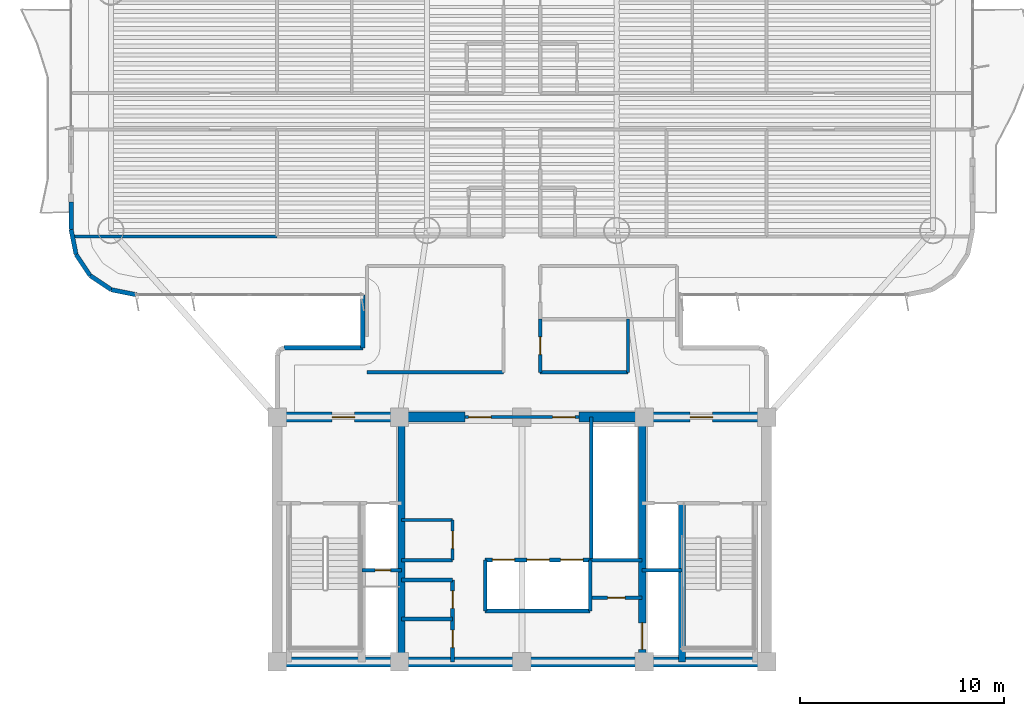
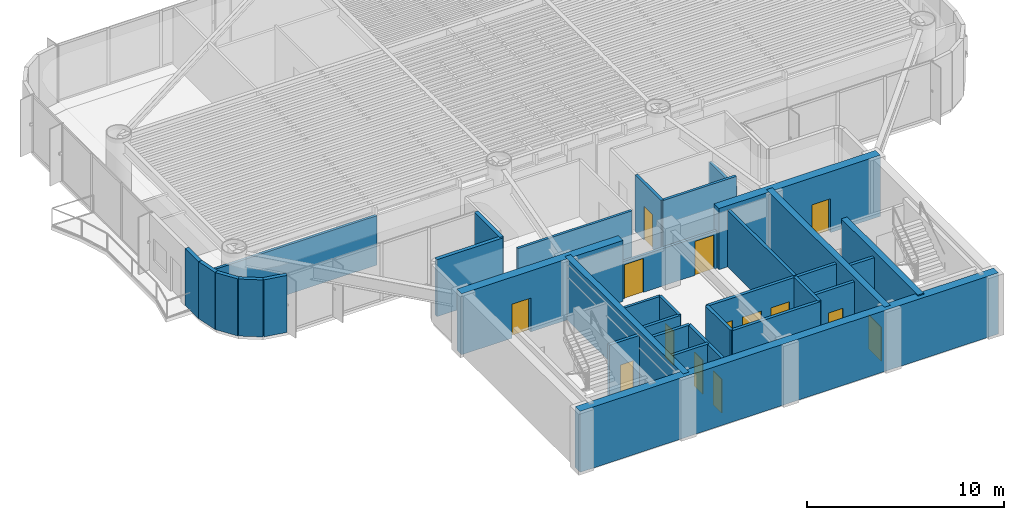
# One storey, part 9 of 17: 34 walls, 14 doors, 14 openings.
"""IFC4 building model written with IfcOpenShell, lengths in metres."""

from ifc_helpers import new_model, si_unit, direction, frame, frame_2d, origin, origin_2d, place, context, subcontext, project, spatial, rectangle, extrude, source, transform, mapped, material, layer, layer_set, type_object, element, fill, save


model = new_model("IFC4")

# Units and contexts
model_context = context("Model", 3, precision=1e-05, world=origin(), true_north=direction((0.0, 1.0)))
body_context = subcontext(model_context, "Body", "Model", "MODEL_VIEW")
ifc_project = project(units=[si_unit("LENGTHUNIT", "METRE"), si_unit("AREAUNIT", "SQUARE_METRE"), si_unit("VOLUMEUNIT", "CUBIC_METRE"), si_unit("PLANEANGLEUNIT", "RADIAN"), si_unit("MASSUNIT", "GRAM", prefix="KILO")], contexts=[model_context])

# Site, building, storey
site_placement = place(None, origin())
site = spatial("IfcSite", under=ifc_project, at=site_placement, CompositionType="ELEMENT")
building_placement = place(site_placement, origin())
building = spatial("IfcBuilding", under=site, at=building_placement, Name="Brelvock Crest Care Tower", CompositionType="ELEMENT")
storey_placement = place(building_placement, frame((0.0, 0.0, 93.60009765625)))
storey = spatial("IfcBuildingStorey", under=building, at=storey_placement, Name="L23", CompositionType="ELEMENT", Elevation=93.60009765625)

# Wall
ifc_material_1 = material(Name="Concrete S80 (80 MPa)", Category="concrete")
ifc_layer_1 = layer(ifc_material_1, 0.5, Name="WL-CS2")
ifc_layer_set_1 = layer_set([ifc_layer_1], Name="Concrete S80 (80 MPa)")
wall_type_1 = type_object("IfcWallType", Name="WL-CS2", PredefinedType="SHEAR", material=ifc_layer_set_1)
wall_1_placement = place(storey_placement, frame((48.25, 6.0, 0.0), z_axis=(0.0, 0.0, 1.0), x_axis=(-1.0, 0.0, 0.0)))
element("IfcWall", 1, at=wall_1_placement, inside=storey, type_object=wall_type_1, Name="L23 Core South Shear Wall", PredefinedType="SHEAR", context=body_context, shape_type="SweptSolid", body=[
    extrude(rectangle(XDim=24.5, YDim=0.5, at=frame_2d((12.25, 0.0))), origin(), (0.0, 0.0, 1.0), 3.77978515625),
])

# Wall, opening, door
wall_2_placement = place(storey_placement, frame((23.75, 18.0, 0.0), z_axis=(0.0, 0.0, 1.0), x_axis=(1.0, 0.0, 0.0)))
wall_2 = element("IfcWall", 2, at=wall_2_placement, inside=storey, type_object=wall_type_1, Name="L23 Core North-West Shear Wall", PredefinedType="SHEAR", context=body_context, shape_type="SweptSolid", body=[
    extrude(rectangle(XDim=9.449951171875, YDim=0.5, at=frame_2d((4.72509765625, 0.0))), origin(), (0.0, 0.0, 1.0), 3.77978515625),
])
opening_1_placement = place(wall_2_placement, frame((2.949951171875, 0.0, 0.0)))
opening_1 = element("IfcOpeningElement", 3, at=opening_1_placement, cuts=wall_2, Name="Opening FD-1", PredefinedType="OPENING", context=body_context, shape_type="SweptSolid", body=[
    extrude(rectangle(XDim=1.10009765625, YDim=2.10009765625, at=origin_2d()), frame((0.550048828125, 0.260009765625, 1.050048828125), z_axis=(0.0, -1.0, 0.0), x_axis=(1.0, 0.0, 0.0)), (0.0, 0.0, 1.0), 0.52001953125),
])
ifc_material_2 = material(Name="Steel Grade 350", Category="steel")
door_type_1 = type_object("IfcDoorType", Name="DR-FFL1", OperationType="NOTDEFINED", PredefinedType="DOOR", material=ifc_material_2)
shared_shape_1 = source(origin(), body_context, "Body", "SweptSolid", [
    extrude(rectangle(XDim=1.10009765625, YDim=2.10009765625, at=origin_2d()), frame((0.550048828125, 0.02490234375, 1.050048828125), z_axis=(0.0, -1.0, 0.0), x_axis=(1.0, 0.0, 0.0)), (0.0, 0.0, 1.0), 0.050048828125),
])
door_1_placement = place(opening_1_placement, origin())
door_1 = element("IfcDoor", 4, at=door_1_placement, inside=storey, type_object=door_type_1, Name="L23 Firefighting Lobby FFL-1 Exit Door", OperationType="SINGLE_SWING_LEFT", OverallHeight=2.10009765625, OverallWidth=1.10009765625, PredefinedType="DOOR", context=body_context, shape_type="MappedRepresentation", body=[
    mapped(shared_shape_1, transform((0.0, 0.0, 0.0), x_axis=(1.0, 0.0, 0.0), y_axis=(0.0, 1.0, 0.0), z_axis=(0.0, 0.0, 1.0), scale=1.0)),
])
fill(opening_1, door_1)

wall_3_placement = place(storey_placement, frame((38.800048828125, 18.0, 0.0), z_axis=(0.0, 0.0, 1.0), x_axis=(1.0, 0.0, 0.0)))
wall_3 = element("IfcWall", 5, at=wall_3_placement, inside=storey, type_object=wall_type_1, Name="L23 Core North-East Shear Wall", PredefinedType="SHEAR", context=body_context, shape_type="SweptSolid", body=[
    extrude(rectangle(XDim=9.449951171875, YDim=0.5, at=frame_2d((4.72509765625, 0.0))), origin(), (0.0, 0.0, 1.0), 3.77978515625),
])
opening_2_placement = place(wall_3_placement, frame((5.449951171875, 0.0, 0.0)))
opening_2 = element("IfcOpeningElement", 6, at=opening_2_placement, cuts=wall_3, Name="Opening FD-1", PredefinedType="OPENING", context=body_context, shape_type="SweptSolid", body=[
    extrude(rectangle(XDim=1.10009765625, YDim=2.10009765625, at=origin_2d()), frame((0.550048828125, 0.260009765625, 1.050048828125), z_axis=(0.0, -1.0, 0.0), x_axis=(1.0, 0.0, 0.0)), (0.0, 0.0, 1.0), 0.52001953125),
])
door_2_placement = place(opening_2_placement, origin())
door_2 = element("IfcDoor", 7, at=door_2_placement, inside=storey, type_object=door_type_1, Name="L23 Firefighting Lobby FFL-2 Exit Door", OperationType="SINGLE_SWING_RIGHT", OverallHeight=2.10009765625, OverallWidth=1.10009765625, PredefinedType="DOOR", context=body_context, shape_type="MappedRepresentation", body=[
    mapped(shared_shape_1, transform((0.0, 0.0, 0.0), x_axis=(1.0, 0.0, 0.0), y_axis=(0.0, 1.0, 0.0), z_axis=(0.0, 0.0, 1.0), scale=1.0)),
])
fill(opening_2, door_2)

# Wall
ifc_layer_2 = layer(ifc_material_1, 0.35009765625, Name="WL-CS5")
ifc_layer_set_2 = layer_set([ifc_layer_2], Name="Concrete S80 (80 MPa)")
wall_type_2 = type_object("IfcWallType", Name="WL-CS5", PredefinedType="SHEAR", material=ifc_layer_set_2)
wall_4_placement = place(storey_placement, frame((30.10009765625, 6.0, 0.0), z_axis=(0.0, 0.0, 1.0), x_axis=(0.0, 1.0, 0.0)))
element("IfcWall", 8, at=wall_4_placement, inside=storey, type_object=wall_type_2, Name="L23 Core Internal Web Wall West", PredefinedType="SHEAR", context=body_context, shape_type="SweptSolid", body=[
    extrude(rectangle(XDim=12.0, YDim=0.35009765625, at=frame_2d((6.0, 0.0))), origin(), (0.0, 0.0, 1.0), 3.77978515625),
])

# Wall, opening, door
wall_5_placement = place(storey_placement, frame((41.89990234375, 18.0, 0.0), z_axis=(0.0, 0.0, 1.0), x_axis=(0.0, -1.0, 0.0)))
wall_5 = element("IfcWall", 9, at=wall_5_placement, inside=storey, type_object=wall_type_2, Name="L23 Core Internal Web Wall East", PredefinedType="SHEAR", context=body_context, shape_type="SweptSolid", body=[
    extrude(rectangle(XDim=12.0, YDim=0.35009765625, at=frame_2d((6.0, 0.0))), origin(), (0.0, 0.0, 1.0), 3.77978515625),
])
opening_3_placement = place(wall_5_placement, frame((10.080078125, 0.0, 0.0)))
opening_3 = element("IfcOpeningElement", 10, at=opening_3_placement, cuts=wall_5, Name="Opening LD-S", PredefinedType="OPENING", context=body_context, shape_type="SweptSolid", body=[
    extrude(rectangle(XDim=1.300048828125, YDim=2.10009765625, at=origin_2d()), frame((0.64990234375, 0.18505859375, 1.050048828125), z_axis=(0.0, -1.0, 0.0), x_axis=(1.0, 0.0, 0.0)), (0.0, 0.0, 1.0), 0.3701171875),
])
door_type_2 = type_object("IfcDoorType", Name="DR-LDS1", OperationType="NOTDEFINED", PredefinedType="DOOR", material=ifc_material_2)
shared_shape_2 = source(origin(), body_context, "Body", "SweptSolid", [
    extrude(rectangle(XDim=1.300048828125, YDim=2.10009765625, at=origin_2d()), frame((0.64990234375, 0.02490234375, 1.050048828125), z_axis=(0.0, -1.0, 0.0), x_axis=(1.0, 0.0, 0.0)), (0.0, 0.0, 1.0), 0.050048828125),
])
door_3_placement = place(opening_3_placement, origin())
door_3 = element("IfcDoor", 11, at=door_3_placement, inside=storey, type_object=door_type_2, Name="L23 Clinical Bed Lift SL-1 Landing Door", OperationType="SLIDING_TO_LEFT", OverallHeight=2.10009765625, OverallWidth=1.300048828125, PredefinedType="DOOR", context=body_context, shape_type="MappedRepresentation", body=[
    mapped(shared_shape_2, transform((0.0, 0.0, 0.0), x_axis=(1.0, 0.0, 0.0), y_axis=(0.0, 1.0, 0.0), z_axis=(0.0, 0.0, 1.0), scale=1.0)),
])
fill(opening_3, door_3)

# Walls
wall_6_placement = place(storey_placement, frame((43.85009765625, 6.0, 0.0), z_axis=(0.0, 0.0, 1.0), x_axis=(0.0, 1.0, 0.0)))
element("IfcWall", 12, at=wall_6_placement, inside=storey, type_object=wall_type_2, Name="L23 Core Stair ST-2 West Shear Wall", PredefinedType="SHEAR", context=body_context, shape_type="SweptSolid", body=[
    extrude(rectangle(XDim=7.780029296875, YDim=0.35009765625, at=frame_2d((3.89013671875, 0.0))), origin(), (0.0, 0.0, 1.0), 3.849853515625),
])
ifc_material_3 = material(Name="Precast concrete N40 (40 MPa)", Category="concrete")
ifc_layer_3 = layer(ifc_material_3, 0.215087890625, Name="WL-EX2")
ifc_layer_set_3 = layer_set([ifc_layer_3], Name="Precast concrete N40 (40 MPa)")
wall_type_3 = type_object("IfcWallType", Name="WL-EX2", PredefinedType="SOLIDWALL", material=ifc_layer_set_3)
wall_7_placement = place(storey_placement, frame((24.35009765625, 21.39990234375, 0.0), z_axis=(0.0, 0.0, 1.0), x_axis=(1.0, 0.0, 0.0)))
element("IfcWall", 13, at=wall_7_placement, inside=storey, type_object=wall_type_3, Name="L23 Rounded Corner Wall 10", PredefinedType="SOLIDWALL", context=body_context, shape_type="SweptSolid", body=[
    extrude(rectangle(XDim=3.849853515625, YDim=0.215087890625, at=frame_2d((1.9248046875, 0.0))), origin(), (0.0, 0.0, 1.0), 3.52978515625),
])
wall_8_placement = place(storey_placement, frame((28.199951171875, 21.39990234375, 0.0), z_axis=(0.0, 0.0, 1.0), x_axis=(0.0, 1.0, 0.0)))
element("IfcWall", 14, at=wall_8_placement, inside=storey, type_object=wall_type_3, Name="L23 Rounded Corner Wall 11", PredefinedType="SOLIDWALL", context=body_context, shape_type="SweptSolid", body=[
    extrude(rectangle(XDim=2.60009765625, YDim=0.215087890625, at=frame_2d((1.300048828125, 0.0))), origin(), (0.0, 0.0, 1.0), 3.52978515625),
])
for number, where, z_axis, x_axis, name in (
    (15, (17.10009765625, 24.0, 0.0), (0.0, 0.0, 1.0), (-0.980775717779, 0.195138390419, 0.0), "L23 Rounded Corner Wall 13"),
    (16, (15.87548828125, 24.24365234375, 0.0), (0.0, 0.0, 1.0), (-0.831478245117, 0.555557312883, 0.0), "L23 Rounded Corner Wall 14"),
    (17, (14.83740234375, 24.937255859375, 0.0), (0.0, 0.0, 1.0), (-0.555692485475, 0.831387912822, 0.0), "L23 Rounded Corner Wall 15"),
    (18, (14.1435546875, 25.975341796875, 0.0), (0.0, 0.0, 1.0), (-0.195138390419, 0.980775717779, 0.0), "L23 Rounded Corner Wall 16"),
):
    element("IfcWall", number, at=place(storey_placement, frame(where, z_axis=z_axis, x_axis=x_axis)), inside=storey, type_object=wall_type_3, Name=name, PredefinedType="SOLIDWALL", context=body_context, shape_type="SweptSolid", body=[
        extrude(rectangle(XDim=1.24853515625, YDim=0.215087890625, at=frame_2d((0.624267578125, 0.0))), origin(), (0.0, 0.0, 1.0), 3.52978515625),
    ])
wall_9_placement = place(storey_placement, frame((13.89990234375, 27.199951171875, 0.0), z_axis=(0.0, 0.0, 1.0), x_axis=(0.0, 1.0, 0.0)))
element("IfcWall", 19, at=wall_9_placement, inside=storey, type_object=wall_type_3, Name="L23 Exterior Spandrel Pier E17A", PredefinedType="SOLIDWALL", context=body_context, shape_type="SweptSolid", body=[
    extrude(rectangle(XDim=1.35009765625, YDim=0.215087890625, at=frame_2d((0.675048828125, 0.0))), origin(), (0.0, 0.0, 1.0), 3.52978515625),
])
ifc_material_4 = material(Name="Masonry Blockwork Acoustic Partition", Category="masonry")
ifc_layer_4 = layer(ifc_material_4, 0.14990234375, Name="WL-INT1")
ifc_layer_set_4 = layer_set([ifc_layer_4], Name="Masonry Blockwork Acoustic Partition")
wall_type_4 = type_object("IfcWallType", Name="WL-INT1", PredefinedType="PARTITIONING", material=ifc_layer_set_4)
wall_10_placement = place(storey_placement, frame((30.10009765625, 12.949951171875, 0.0), z_axis=(0.0, 0.0, 1.0), x_axis=(1.0, 0.0, 0.0)))
element("IfcWall", 20, at=wall_10_placement, inside=storey, type_object=wall_type_4, Name="L23 Interior Wall WL-CRCL-N2-L23", PredefinedType="PARTITIONING", context=body_context, shape_type="SweptSolid", body=[
    extrude(rectangle(XDim=2.5, YDim=0.14990234375, at=frame_2d((1.25, 0.0))), origin(), (0.0, 0.0, 1.0), 3.5),
])

# Wall, opening, door
wall_11_placement = place(storey_placement, frame((32.60009765625, 11.0, 0.0), z_axis=(0.0, 0.0, 1.0), x_axis=(0.0, 1.0, 0.0)))
wall_11 = element("IfcWall", 21, at=wall_11_placement, inside=storey, type_object=wall_type_4, Name="L23 Interior Wall WL-CRCL-E-L23", PredefinedType="PARTITIONING", context=body_context, shape_type="SweptSolid", body=[
    extrude(rectangle(XDim=1.949951171875, YDim=0.14990234375, at=frame_2d((0.97509765625, 0.0))), origin(), (0.0, 0.0, 1.0), 3.5),
])
opening_4_placement = place(wall_11_placement, frame((0.550048828125, 0.0, 0.0)))
opening_4 = element("IfcOpeningElement", 22, at=opening_4_placement, cuts=wall_11, Name="Opening ID-1", PredefinedType="OPENING", context=body_context, shape_type="SweptSolid", body=[
    extrude(rectangle(XDim=0.860107421875, YDim=2.10009765625, at=origin_2d()), frame((0.43017578125, 0.0849609375, 1.050048828125), z_axis=(0.0, -1.0, 0.0), x_axis=(1.0, 0.0, 0.0)), (0.0, 0.0, 1.0), 0.169921875),
])
ifc_material_5 = material(Name="Engineered Hardwood Timber", Category="wood")
door_type_3 = type_object("IfcDoorType", Name="DR-INT1", OperationType="NOTDEFINED", PredefinedType="DOOR", material=ifc_material_5)
shared_shape_3 = source(origin(), body_context, "Body", "SweptSolid", [
    extrude(rectangle(XDim=0.860107421875, YDim=2.10009765625, at=origin_2d()), frame((0.43017578125, 0.02490234375, 1.050048828125), z_axis=(0.0, -1.0, 0.0), x_axis=(1.0, 0.0, 0.0)), (0.0, 0.0, 1.0), 0.050048828125),
])
door_4_placement = place(opening_4_placement, origin())
door_4 = element("IfcDoor", 23, at=door_4_placement, inside=storey, type_object=door_type_3, Name="DR-CRCL1-L23", OperationType="SINGLE_SWING_LEFT", OverallHeight=2.10009765625, OverallWidth=0.860107421875, PredefinedType="DOOR", context=body_context, shape_type="MappedRepresentation", body=[
    mapped(shared_shape_3, transform((0.0, 0.0, 0.0), x_axis=(1.0, 0.0, 0.0), y_axis=(0.0, 1.0, 0.0), z_axis=(0.0, 0.0, 1.0), scale=1.0)),
])
fill(opening_4, door_4)

# Wall, openings, doors
wall_12_placement = place(storey_placement, frame((33.199951171875, 18.0, 0.0), z_axis=(0.0, 0.0, 1.0), x_axis=(1.0, 0.0, 0.0)))
wall_12 = element("IfcWall", 24, at=wall_12_placement, inside=storey, type_object=wall_type_4, Name="L23 Interior Wall WL-CORE-NPORT-L23", PredefinedType="PARTITIONING", context=body_context, shape_type="SweptSolid", body=[
    extrude(rectangle(XDim=5.60009765625, YDim=0.14990234375, at=frame_2d((2.800048828125, 0.0))), origin(), (0.0, 0.0, 1.0), 2.31494140625),
])
opening_5_placement = place(wall_12_placement, frame((0.18994140625, 0.0, 0.0)))
opening_5 = element("IfcOpeningElement", 25, at=opening_5_placement, cuts=wall_12, Name="Opening FD-1", PredefinedType="OPENING", context=body_context, shape_type="SweptSolid", body=[
    extrude(rectangle(XDim=1.10009765625, YDim=2.10009765625, at=origin_2d()), frame((0.550048828125, 0.0849609375, 1.050048828125), z_axis=(0.0, -1.0, 0.0), x_axis=(1.0, 0.0, 0.0)), (0.0, 0.0, 1.0), 0.169921875),
])
opening_6_placement = place(wall_12_placement, frame((4.31005859375, 0.0, 0.0)))
opening_6 = element("IfcOpeningElement", 26, at=opening_6_placement, cuts=wall_12, Name="Opening FD-1", PredefinedType="OPENING", context=body_context, shape_type="SweptSolid", body=[
    extrude(rectangle(XDim=1.10009765625, YDim=2.10009765625, at=origin_2d()), frame((0.550048828125, 0.0849609375, 1.050048828125), z_axis=(0.0, -1.0, 0.0), x_axis=(1.0, 0.0, 0.0)), (0.0, 0.0, 1.0), 0.169921875),
])
door_5_placement = place(opening_5_placement, origin())
door_5 = element("IfcDoor", 27, at=door_5_placement, inside=storey, type_object=door_type_1, Name="L23 Lift Lobby North Smoke Door West", OperationType="SINGLE_SWING_LEFT", OverallHeight=2.10009765625, OverallWidth=1.10009765625, PredefinedType="DOOR", context=body_context, shape_type="MappedRepresentation", body=[
    mapped(shared_shape_1, transform((0.0, 0.0, 0.0), x_axis=(1.0, 0.0, 0.0), y_axis=(0.0, 1.0, 0.0), z_axis=(0.0, 0.0, 1.0), scale=1.0)),
])
fill(opening_5, door_5)
door_6_placement = place(opening_6_placement, origin())
door_6 = element("IfcDoor", 28, at=door_6_placement, inside=storey, type_object=door_type_1, Name="L23 Lift Lobby North Smoke Door East", OperationType="SINGLE_SWING_RIGHT", OverallHeight=2.10009765625, OverallWidth=1.10009765625, PredefinedType="DOOR", context=body_context, shape_type="MappedRepresentation", body=[
    mapped(shared_shape_1, transform((0.0, 0.0, 0.0), x_axis=(1.0, 0.0, 0.0), y_axis=(0.0, 1.0, 0.0), z_axis=(0.0, 0.0, 1.0), scale=1.0)),
])
fill(opening_6, door_6)

# Walls
wall_13_placement = place(storey_placement, frame((28.39990234375, 20.199951171875, 0.0), z_axis=(0.0, 0.0, 1.0), x_axis=(1.0, 0.0, 0.0)))
element("IfcWall", 29, at=wall_13_placement, inside=storey, type_object=wall_type_4, Name="L23 Interior Wall WL-BX-L23-THW-S", PredefinedType="PARTITIONING", context=body_context, shape_type="SweptSolid", body=[
    extrude(rectangle(XDim=6.7001953125, YDim=0.14990234375, at=frame_2d((3.35009765625, 0.0))), origin(), (0.0, 0.0, 1.0), 3.5),
])
wall_14_placement = place(storey_placement, frame((14.05126953125, 26.85009765625, 0.0), z_axis=(0.0, 0.0, 1.0), x_axis=(1.0, 0.0, 0.0)))
element("IfcWall", 30, at=wall_14_placement, inside=storey, type_object=wall_type_4, Name="L23 Interior Wall WL-BX-L23-ISWO-S", PredefinedType="PARTITIONING", context=body_context, shape_type="SweptSolid", body=[
    extrude(rectangle(XDim=9.94873046875, YDim=0.14990234375, at=frame_2d((4.974365234375, 0.0))), origin(), (0.0, 0.0, 1.0), 3.054931640625),
])
ifc_material_6 = material(Name="Gypsum Plasterboard Partition", Category="gypsum")
ifc_layer_5 = layer(ifc_material_6, 0.159912109375, Name="WL-PLM1")
ifc_layer_set_5 = layer_set([ifc_layer_5], Name="Gypsum Plasterboard Partition")
wall_type_5 = type_object("IfcWallType", Name="WL-PLM1", PredefinedType="PLUMBINGWALL", material=ifc_layer_set_5)
wall_15_placement = place(storey_placement, frame((36.89990234375, 20.199951171875, 0.0), z_axis=(0.0, 0.0, 1.0), x_axis=(1.0, 0.0, 0.0)))
element("IfcWall", 31, at=wall_15_placement, inside=storey, type_object=wall_type_5, Name="L23 Interior Wall WL-BX-L23-THE1-S", PredefinedType="PLUMBINGWALL", context=body_context, shape_type="SweptSolid", body=[
    extrude(rectangle(XDim=4.300048828125, YDim=0.159912109375, at=frame_2d((2.14990234375, 0.0))), origin(), (0.0, 0.0, 1.0), 3.5),
])

# Wall, opening, door
wall_16_placement = place(storey_placement, frame((36.89990234375, 20.199951171875, 0.0), z_axis=(0.0, 0.0, 1.0), x_axis=(0.0, 1.0, 0.0)))
wall_16 = element("IfcWall", 32, at=wall_16_placement, inside=storey, type_object=wall_type_5, Name="L23 Interior Wall WL-RM-L23-THE1", PredefinedType="PLUMBINGWALL", context=body_context, shape_type="SweptSolid", body=[
    extrude(rectangle(XDim=2.60009765625, YDim=0.159912109375, at=frame_2d((1.300048828125, 0.0))), origin(), (0.0, 0.0, 1.0), 3.5),
])
opening_7_placement = place(wall_16_placement, frame((0.8701171875, 0.0, 0.0)))
opening_7 = element("IfcOpeningElement", 33, at=opening_7_placement, cuts=wall_16, Name="Opening WD-1", PredefinedType="OPENING", context=body_context, shape_type="SweptSolid", body=[
    extrude(rectangle(XDim=0.860107421875, YDim=2.10009765625, at=origin_2d()), frame((0.43017578125, 0.08984375, 1.050048828125), z_axis=(0.0, -1.0, 0.0), x_axis=(1.0, 0.0, 0.0)), (0.0, 0.0, 1.0), 0.179931640625),
])
door_type_4 = type_object("IfcDoorType", Name="DR-WC1", OperationType="NOTDEFINED", PredefinedType="DOOR", material=ifc_material_5)
shared_shape_4 = source(origin(), body_context, "Body", "SweptSolid", [
    extrude(rectangle(XDim=0.860107421875, YDim=2.10009765625, at=origin_2d()), frame((0.43017578125, 0.02490234375, 1.050048828125), z_axis=(0.0, -1.0, 0.0), x_axis=(1.0, 0.0, 0.0)), (0.0, 0.0, 1.0), 0.050048828125),
])
door_7_placement = place(opening_7_placement, origin())
door_7 = element("IfcDoor", 34, at=door_7_placement, inside=storey, type_object=door_type_4, Name="L23 Floor Accessible WC Door THE1", OperationType="SINGLE_SWING_LEFT", OverallHeight=2.10009765625, OverallWidth=0.860107421875, PredefinedType="DOOR", context=body_context, shape_type="MappedRepresentation", body=[
    mapped(shared_shape_4, transform((0.0, 0.0, 0.0), x_axis=(1.0, 0.0, 0.0), y_axis=(0.0, 1.0, 0.0), z_axis=(0.0, 0.0, 1.0), scale=1.0)),
])
fill(opening_7, door_7)

# Walls
wall_17_placement = place(storey_placement, frame((41.199951171875, 20.199951171875, 0.0), z_axis=(0.0, 0.0, 1.0), x_axis=(0.0, 1.0, 0.0)))
element("IfcWall", 35, at=wall_17_placement, inside=storey, type_object=wall_type_5, Name="L23 Interior Wall WL-BX-L23-THE1-E", PredefinedType="PLUMBINGWALL", context=body_context, shape_type="SweptSolid", body=[
    extrude(rectangle(XDim=2.60009765625, YDim=0.159912109375, at=frame_2d((1.300048828125, 0.0))), origin(), (0.0, 0.0, 1.0), 2.81494140625),
])
ifc_layer_6 = layer(ifc_material_4, 0.179931640625, Name="WL-SHF1")
ifc_layer_set_6 = layer_set([ifc_layer_6], Name="Masonry Blockwork Acoustic Partition")
wall_type_6 = type_object("IfcWallType", Name="WL-SHF1", PredefinedType="PARTITIONING", material=ifc_layer_set_6)
wall_18_placement = place(storey_placement, frame((34.199951171875, 8.5, 0.0), z_axis=(0.0, 0.0, 1.0), x_axis=(1.0, 0.0, 0.0)))
element("IfcWall", 36, at=wall_18_placement, inside=storey, type_object=wall_type_6, Name="L23 Interior Wall WL-PLM-S-L23", PredefinedType="PARTITIONING", context=body_context, shape_type="SweptSolid", body=[
    extrude(rectangle(XDim=5.150146484375, YDim=0.179931640625, at=frame_2d((2.5751953125, 0.0))), origin(), (0.0, 0.0, 1.0), 3.5),
])
for number, where, z_axis, x_axis, name in (
    (37, (34.199951171875, 8.5, 0.0), (0.0, 0.0, 1.0), (0.0, 1.0, 0.0), "L23 Interior Wall WL-PLM-W-L23"),
    (38, (39.35009765625, 8.5, 0.0), (0.0, 0.0, 1.0), (0.0, 1.0, 0.0), "L23 Interior Wall WL-PLM-E-L23"),
):
    element("IfcWall", number, at=place(storey_placement, frame(where, z_axis=z_axis, x_axis=x_axis)), inside=storey, type_object=wall_type_6, Name=name, PredefinedType="PARTITIONING", context=body_context, shape_type="SweptSolid", body=[
        extrude(rectangle(XDim=2.5, YDim=0.179931640625, at=frame_2d((1.25, 0.0))), origin(), (0.0, 0.0, 1.0), 3.5),
    ])
wall_19_placement = place(storey_placement, frame((39.39990234375, 11.0, 0.0), z_axis=(0.0, 0.0, 1.0), x_axis=(0.0, 1.0, 0.0)))
element("IfcWall", 39, at=wall_19_placement, inside=storey, type_object=wall_type_6, Name="L23 Interior Wall WL-PLH-SHF-L23", PredefinedType="PARTITIONING", context=body_context, shape_type="SweptSolid", body=[
    extrude(rectangle(XDim=7.0, YDim=0.179931640625, at=frame_2d((3.5, 0.0))), origin(), (0.0, 0.0, 1.0), 3.5),
])
wall_20_placement = place(storey_placement, frame((30.10009765625, 10.97998046875, 0.0), z_axis=(0.0, 0.0, 1.0), x_axis=(1.0, 0.0, 0.0)))
element("IfcWall", 40, at=wall_20_placement, inside=storey, type_object=wall_type_6, Name="L23 Interior Wall WL-CSBW-N-L23", PredefinedType="PARTITIONING", context=body_context, shape_type="SweptSolid", body=[
    extrude(rectangle(XDim=2.5, YDim=0.179931640625, at=frame_2d((1.25, 0.0))), origin(), (0.0, 0.0, 1.0), 3.5),
])
wall_21_placement = place(storey_placement, frame((39.35009765625, 10.97998046875, 0.0), z_axis=(0.0, 0.0, 1.0), x_axis=(1.0, 0.0, 0.0)))
element("IfcWall", 41, at=wall_21_placement, inside=storey, type_object=wall_type_6, Name="L23 Interior Wall WL-CSBE-N-L23", PredefinedType="PARTITIONING", context=body_context, shape_type="SweptSolid", body=[
    extrude(rectangle(XDim=2.5498046875, YDim=0.179931640625, at=frame_2d((1.27490234375, 0.0))), origin(), (0.0, 0.0, 1.0), 3.5),
])
for number, where, z_axis, x_axis, name in (
    (42, (30.10009765625, 8.10009765625, 0.0), (0.0, 0.0, 1.0), (1.0, 0.0, 0.0), "L23 Interior Wall WL-CSBW-SP-L23"),
    (43, (30.10009765625, 10.02001953125, 0.0), (0.0, 0.0, 1.0), (1.0, 0.0, 0.0), "L23 Interior Wall WL-CSBW-N2-L23"),
):
    element("IfcWall", number, at=place(storey_placement, frame(where, z_axis=z_axis, x_axis=x_axis)), inside=storey, type_object=wall_type_6, Name=name, PredefinedType="PARTITIONING", context=body_context, shape_type="SweptSolid", body=[
        extrude(rectangle(XDim=2.5, YDim=0.179931640625, at=frame_2d((1.25, 0.0))), origin(), (0.0, 0.0, 1.0), 3.5),
    ])

# Wall, openings, doors
wall_22_placement = place(storey_placement, frame((32.60009765625, 6.0, 0.0), z_axis=(0.0, 0.0, 1.0), x_axis=(0.0, 1.0, 0.0)))
wall_22 = element("IfcWall", 44, at=wall_22_placement, inside=storey, type_object=wall_type_6, Name="L23 Interior Wall WL-CSBW-E-L23", PredefinedType="PARTITIONING", context=body_context, shape_type="SweptSolid", body=[
    extrude(rectangle(XDim=4.02001953125, YDim=0.179931640625, at=frame_2d((2.010009765625, 0.0))), origin(), (0.0, 0.0, 1.0), 3.5),
])
opening_8_placement = place(wall_22_placement, frame((0.699951171875, 0.0, 0.0)))
opening_8 = element("IfcOpeningElement", 45, at=opening_8_placement, cuts=wall_22, Name="Opening ID-1", PredefinedType="OPENING", context=body_context, shape_type="SweptSolid", body=[
    extrude(rectangle(XDim=0.860107421875, YDim=2.10009765625, at=origin_2d()), frame((0.43017578125, 0.10009765625, 1.050048828125), z_axis=(0.0, -1.0, 0.0), x_axis=(1.0, 0.0, 0.0)), (0.0, 0.0, 1.0), 0.199951171875),
])
opening_9_placement = place(wall_22_placement, frame((2.6201171875, 0.0, 0.0)))
opening_9 = element("IfcOpeningElement", 46, at=opening_9_placement, cuts=wall_22, Name="Opening ID-1", PredefinedType="OPENING", context=body_context, shape_type="SweptSolid", body=[
    extrude(rectangle(XDim=0.860107421875, YDim=2.10009765625, at=origin_2d()), frame((0.43017578125, 0.10009765625, 1.050048828125), z_axis=(0.0, -1.0, 0.0), x_axis=(1.0, 0.0, 0.0)), (0.0, 0.0, 1.0), 0.199951171875),
])
door_8_placement = place(opening_8_placement, origin())
door_8 = element("IfcDoor", 47, at=door_8_placement, inside=storey, type_object=door_type_3, Name="DR-CSBW1-L23", OperationType="SINGLE_SWING_LEFT", OverallHeight=2.10009765625, OverallWidth=0.860107421875, PredefinedType="DOOR", context=body_context, shape_type="MappedRepresentation", body=[
    mapped(shared_shape_3, transform((0.0, 0.0, 0.0), x_axis=(1.0, 0.0, 0.0), y_axis=(0.0, 1.0, 0.0), z_axis=(0.0, 0.0, 1.0), scale=1.0)),
])
fill(opening_8, door_8)
door_9_placement = place(opening_9_placement, origin())
door_9 = element("IfcDoor", 48, at=door_9_placement, inside=storey, type_object=door_type_3, Name="DR-CSBW2-L23", OperationType="SINGLE_SWING_RIGHT", OverallHeight=2.10009765625, OverallWidth=0.860107421875, PredefinedType="DOOR", context=body_context, shape_type="MappedRepresentation", body=[
    mapped(shared_shape_3, transform((0.0, 0.0, 0.0), x_axis=(1.0, 0.0, 0.0), y_axis=(0.0, 1.0, 0.0), z_axis=(0.0, 0.0, 1.0), scale=1.0)),
])
fill(opening_9, door_9)

# Wall, opening, door
wall_23_placement = place(storey_placement, frame((39.35009765625, 9.14990234375, 0.0), z_axis=(0.0, 0.0, 1.0), x_axis=(1.0, 0.0, 0.0)))
wall_23 = element("IfcWall", 49, at=wall_23_placement, inside=storey, type_object=wall_type_6, Name="L23 Interior Wall WL-CSBE-S-L23", PredefinedType="PARTITIONING", context=body_context, shape_type="SweptSolid", body=[
    extrude(rectangle(XDim=2.5498046875, YDim=0.179931640625, at=frame_2d((1.27490234375, 0.0))), origin(), (0.0, 0.0, 1.0), 3.5),
])
opening_10_placement = place(wall_23_placement, frame((0.85009765625, 0.0, 0.0)))
opening_10 = element("IfcOpeningElement", 50, at=opening_10_placement, cuts=wall_23, Name="Opening ID-1", PredefinedType="OPENING", context=body_context, shape_type="SweptSolid", body=[
    extrude(rectangle(XDim=0.860107421875, YDim=2.10009765625, at=origin_2d()), frame((0.43017578125, 0.10009765625, 1.050048828125), z_axis=(0.0, -1.0, 0.0), x_axis=(1.0, 0.0, 0.0)), (0.0, 0.0, 1.0), 0.199951171875),
])
door_10_placement = place(opening_10_placement, origin())
door_10 = element("IfcDoor", 51, at=door_10_placement, inside=storey, type_object=door_type_3, Name="DR-CSBE-L23", OperationType="SINGLE_SWING_LEFT", OverallHeight=2.10009765625, OverallWidth=0.860107421875, PredefinedType="DOOR", context=body_context, shape_type="MappedRepresentation", body=[
    mapped(shared_shape_3, transform((0.0, 0.0, 0.0), x_axis=(1.0, 0.0, 0.0), y_axis=(0.0, 1.0, 0.0), z_axis=(0.0, 0.0, 1.0), scale=1.0)),
])
fill(opening_10, door_10)

wall_24_placement = place(storey_placement, frame((28.14990234375, 10.5, 0.0), z_axis=(0.0, 0.0, 1.0), x_axis=(1.0, 0.0, 0.0)))
wall_24 = element("IfcWall", 52, at=wall_24_placement, inside=storey, type_object=wall_type_6, Name="L23 Interior Wall WL-FFH1-S-L23", PredefinedType="PARTITIONING", context=body_context, shape_type="SweptSolid", body=[
    extrude(rectangle(XDim=1.9501953125, YDim=0.179931640625, at=frame_2d((0.97509765625, 0.0))), origin(), (0.0, 0.0, 1.0), 3.5),
])
opening_11_placement = place(wall_24_placement, frame((0.64990234375, 0.0, 0.0)))
opening_11 = element("IfcOpeningElement", 53, at=opening_11_placement, cuts=wall_24, Name="Opening RD-1", PredefinedType="OPENING", context=body_context, shape_type="SweptSolid", body=[
    extrude(rectangle(XDim=0.760009765625, YDim=2.050048828125, at=origin_2d()), frame((0.3798828125, 0.10009765625, 1.02490234375), z_axis=(0.0, -1.0, 0.0), x_axis=(1.0, 0.0, 0.0)), (0.0, 0.0, 1.0), 0.199951171875),
])
door_type_5 = type_object("IfcDoorType", Name="DR-RIS1", OperationType="NOTDEFINED", PredefinedType="DOOR", material=ifc_material_2)
shared_shape_5 = source(origin(), body_context, "Body", "SweptSolid", [
    extrude(rectangle(XDim=0.760009765625, YDim=2.050048828125, at=origin_2d()), frame((0.3798828125, 0.02490234375, 1.02490234375), z_axis=(0.0, -1.0, 0.0), x_axis=(1.0, 0.0, 0.0)), (0.0, 0.0, 1.0), 0.050048828125),
])
door_11_placement = place(opening_11_placement, origin())
door_11 = element("IfcDoor", 54, at=door_11_placement, inside=storey, type_object=door_type_5, Name="L23 Wet Fire Riser Access Door", OperationType="SINGLE_SWING_LEFT", OverallHeight=2.050048828125, OverallWidth=0.760009765625, PredefinedType="DOOR", context=body_context, shape_type="MappedRepresentation", body=[
    mapped(shared_shape_5, transform((0.0, 0.0, 0.0), x_axis=(1.0, 0.0, 0.0), y_axis=(0.0, 1.0, 0.0), z_axis=(0.0, 0.0, 1.0), scale=1.0)),
])
fill(opening_11, door_11)

# Wall
wall_25_placement = place(storey_placement, frame((41.89990234375, 10.5, 0.0), z_axis=(0.0, 0.0, 1.0), x_axis=(1.0, 0.0, 0.0)))
element("IfcWall", 55, at=wall_25_placement, inside=storey, type_object=wall_type_6, Name="L23 Interior Wall WL-FFH2-S-L23", PredefinedType="PARTITIONING", context=body_context, shape_type="SweptSolid", body=[
    extrude(rectangle(XDim=1.9501953125, YDim=0.179931640625, at=frame_2d((0.97509765625, 0.0))), origin(), (0.0, 0.0, 1.0), 3.5),
])

# Wall, openings, doors
wall_26_placement = place(storey_placement, frame((34.199951171875, 11.0, 0.0), z_axis=(0.0, 0.0, 1.0), x_axis=(1.0, 0.0, 0.0)))
wall_26 = element("IfcWall", 56, at=wall_26_placement, inside=storey, type_object=wall_type_6, Name="L23 Interior Wall WL-PLM-BANK-L23", PredefinedType="PARTITIONING", context=body_context, shape_type="SweptSolid", body=[
    extrude(rectangle(XDim=5.150146484375, YDim=0.179931640625, at=frame_2d((2.5751953125, 0.0))), origin(), (0.0, 0.0, 1.0), 3.5),
])
opening_12_placement = place(wall_26_placement, frame((0.35009765625, 0.0, 0.0)))
opening_12 = element("IfcOpeningElement", 57, at=opening_12_placement, cuts=wall_26, Name="Opening LD", PredefinedType="OPENING", context=body_context, shape_type="SweptSolid", body=[
    extrude(rectangle(XDim=1.10009765625, YDim=2.10009765625, at=origin_2d()), frame((0.550048828125, 0.10009765625, 1.050048828125), z_axis=(0.0, -1.0, 0.0), x_axis=(1.0, 0.0, 0.0)), (0.0, 0.0, 1.0), 0.199951171875),
])
opening_13_placement = place(wall_26_placement, frame((2.050048828125, 0.0, 0.0)))
opening_13 = element("IfcOpeningElement", 58, at=opening_13_placement, cuts=wall_26, Name="Opening LD", PredefinedType="OPENING", context=body_context, shape_type="SweptSolid", body=[
    extrude(rectangle(XDim=1.10009765625, YDim=2.10009765625, at=origin_2d()), frame((0.550048828125, 0.10009765625, 1.050048828125), z_axis=(0.0, -1.0, 0.0), x_axis=(1.0, 0.0, 0.0)), (0.0, 0.0, 1.0), 0.199951171875),
])
opening_14_placement = place(wall_26_placement, frame((3.699951171875, 0.0, 0.0)))
opening_14 = element("IfcOpeningElement", 59, at=opening_14_placement, cuts=wall_26, Name="Opening LD", PredefinedType="OPENING", context=body_context, shape_type="SweptSolid", body=[
    extrude(rectangle(XDim=1.10009765625, YDim=2.10009765625, at=origin_2d()), frame((0.550048828125, 0.10009765625, 1.050048828125), z_axis=(0.0, -1.0, 0.0), x_axis=(1.0, 0.0, 0.0)), (0.0, 0.0, 1.0), 0.199951171875),
])
door_type_6 = type_object("IfcDoorType", Name="DR-LD1", OperationType="NOTDEFINED", PredefinedType="DOOR", material=ifc_material_2)
shared_shape_6 = source(origin(), body_context, "Body", "SweptSolid", [
    extrude(rectangle(XDim=1.10009765625, YDim=2.10009765625, at=origin_2d()), frame((0.550048828125, 0.02490234375, 1.050048828125), z_axis=(0.0, -1.0, 0.0), x_axis=(1.0, 0.0, 0.0)), (0.0, 0.0, 1.0), 0.050048828125),
])
door_12_placement = place(opening_12_placement, origin())
door_12 = element("IfcDoor", 60, at=door_12_placement, inside=storey, type_object=door_type_6, Name="L23 Lift PL-M1 Landing Door", OperationType="SLIDING_TO_LEFT", OverallHeight=2.10009765625, OverallWidth=1.10009765625, PredefinedType="DOOR", context=body_context, shape_type="MappedRepresentation", body=[
    mapped(shared_shape_6, transform((0.0, 0.0, 0.0), x_axis=(1.0, 0.0, 0.0), y_axis=(0.0, 1.0, 0.0), z_axis=(0.0, 0.0, 1.0), scale=1.0)),
])
fill(opening_12, door_12)
door_13_placement = place(opening_13_placement, origin())
door_13 = element("IfcDoor", 61, at=door_13_placement, inside=storey, type_object=door_type_6, Name="L23 Lift PL-M2 Landing Door", OperationType="SLIDING_TO_LEFT", OverallHeight=2.10009765625, OverallWidth=1.10009765625, PredefinedType="DOOR", context=body_context, shape_type="MappedRepresentation", body=[
    mapped(shared_shape_6, transform((0.0, 0.0, 0.0), x_axis=(1.0, 0.0, 0.0), y_axis=(0.0, 1.0, 0.0), z_axis=(0.0, 0.0, 1.0), scale=1.0)),
])
fill(opening_13, door_13)
door_14_placement = place(opening_14_placement, origin())
door_14 = element("IfcDoor", 62, at=door_14_placement, inside=storey, type_object=door_type_6, Name="L23 Lift PL-M3 Landing Door", OperationType="SLIDING_TO_LEFT", OverallHeight=2.10009765625, OverallWidth=1.10009765625, PredefinedType="DOOR", context=body_context, shape_type="MappedRepresentation", body=[
    mapped(shared_shape_6, transform((0.0, 0.0, 0.0), x_axis=(1.0, 0.0, 0.0), y_axis=(0.0, 1.0, 0.0), z_axis=(0.0, 0.0, 1.0), scale=1.0)),
])
fill(opening_14, door_14)

save(model, "model.ifc")
